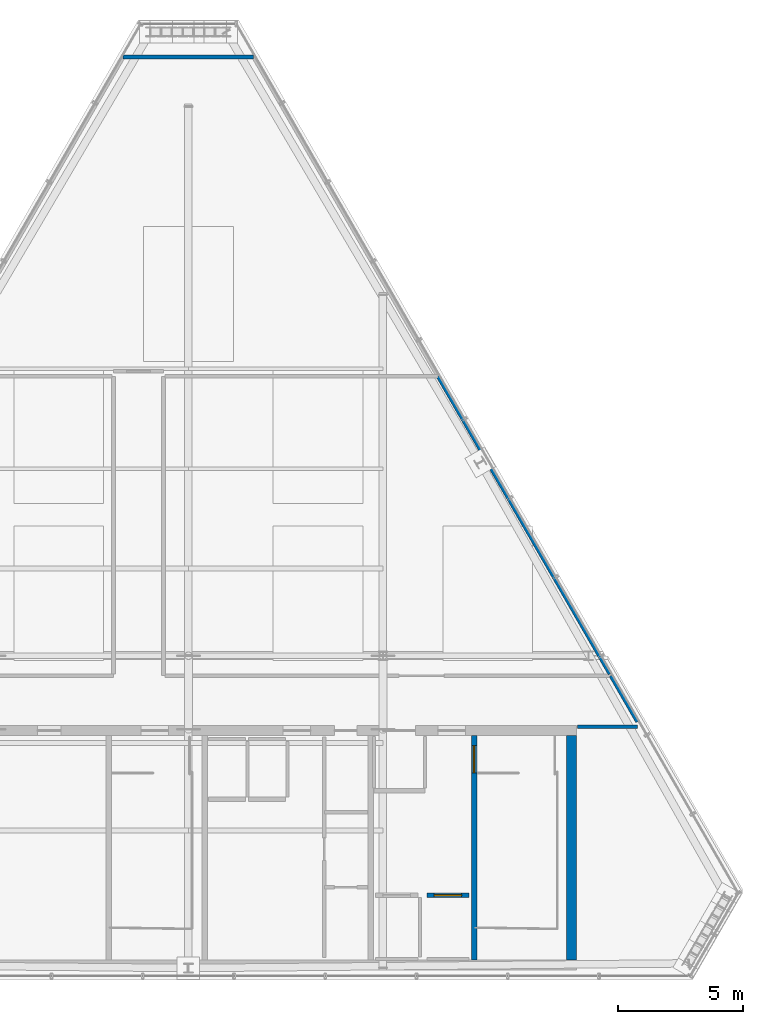
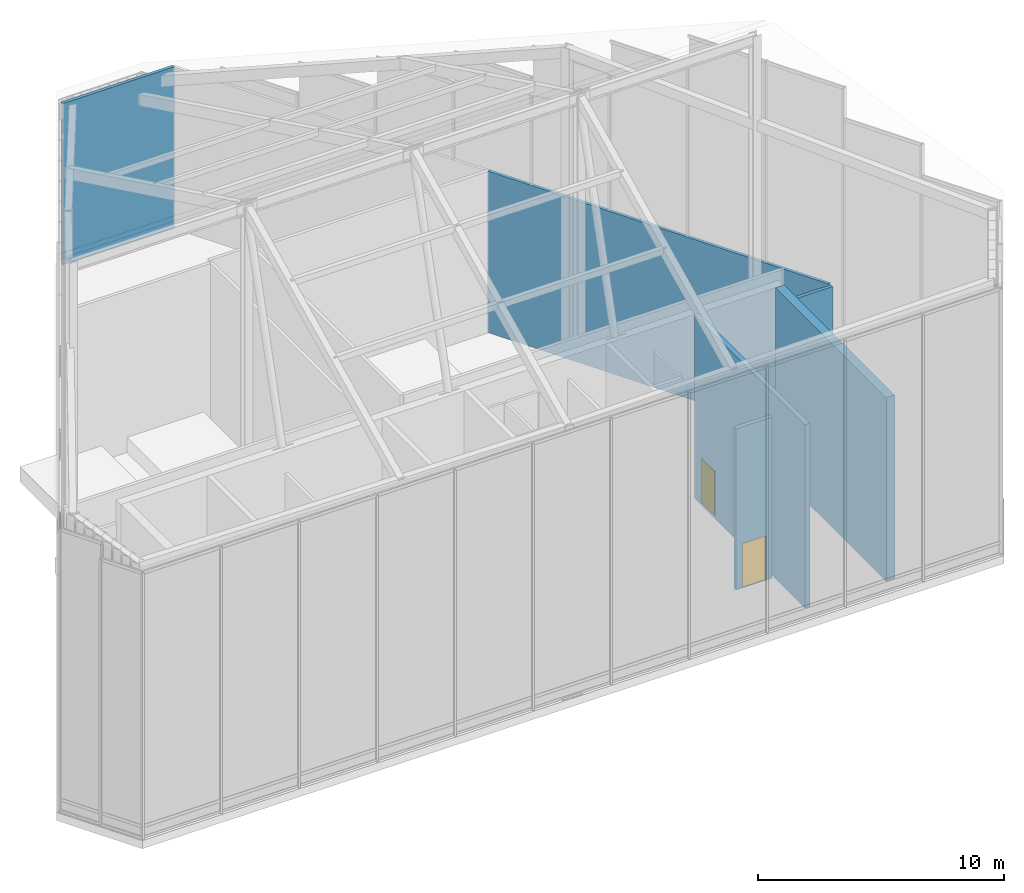
# One storey, part 35 of 36: 7 walls, 2 doors, 2 openings.
"""IFC4 building model written with IfcOpenShell, lengths in metres."""

from ifc_helpers import new_model, si_unit, direction, frame, frame_2d, origin, place, context, subcontext, project, spatial, rectangle, extrude, material, layer, layer_set, type_object, element, fill, save


model = new_model("IFC4")

# Units and contexts
model_context = context("Model", 3, precision=1e-05, world=origin(), true_north=direction((0.0, 1.0)))
body_context = subcontext(model_context, "Body", "Model", "MODEL_VIEW")
ifc_project = project(units=[si_unit("LENGTHUNIT", "METRE"), si_unit("AREAUNIT", "SQUARE_METRE"), si_unit("VOLUMEUNIT", "CUBIC_METRE"), si_unit("PLANEANGLEUNIT", "RADIAN"), si_unit("MASSUNIT", "GRAM", prefix="KILO")], contexts=[model_context])

# Site, building, storey
site_placement = place(None, origin())
site = spatial("IfcSite", under=ifc_project, at=site_placement, CompositionType="ELEMENT")
building_placement = place(site_placement, origin())
building = spatial("IfcBuilding", under=site, at=building_placement, Name="Ndaravel Arena Tower", CompositionType="ELEMENT")
storey_placement = place(building_placement, frame((0.0, 0.0, 308.10009765625)))
storey = spatial("IfcBuildingStorey", under=building, at=storey_placement, Name="Roof Crown", CompositionType="ELEMENT", Elevation=308.10009765625)

# Walls
ifc_material_1 = material(Name="Gypsum", Category="gypsum")
ifc_layer_1 = layer(ifc_material_1, 0.14990234375)
ifc_layer_set_1 = layer_set([ifc_layer_1], Name="Gypsum")
wall_type_1 = type_object("IfcWallType", Name="WALL-COMP-150", PredefinedType="PARTITIONING", material=ifc_layer_set_1)
wall_1_placement = place(storey_placement, frame((60.0, 15.14990234375, 0.0), z_axis=(0.0, 0.0, 1.0), x_axis=(-1.0, 0.0, 0.0)))
element("IfcWall", 1, at=wall_1_placement, inside=storey, type_object=wall_type_1, Name="Roof Crown Interior Partition 001", PredefinedType="PARTITIONING", context=body_context, shape_type="SweptSolid", body=[
    extrude(rectangle(XDim=2.39990234375, YDim=0.14990234375, at=frame_2d((1.199951171875, 0.0))), origin(), (0.0, 0.0, 1.0), 8.0),
])
wall_2_placement = place(storey_placement, frame((58.93408203125, 17.199951171875, 0.0), z_axis=(0.0, 0.0, 1.0), x_axis=(0.500006636387, -0.866021572231, 0.0)))
element("IfcWall", 2, at=wall_2_placement, inside=storey, type_object=wall_type_1, Name="Roof Crown Interior Partition 009", PredefinedType="PARTITIONING", context=body_context, shape_type="SweptSolid", body=[
    extrude(rectangle(XDim=2.1318359375, YDim=0.14990234375, at=frame_2d((1.06591796875, 0.0))), origin(), (0.0, 0.0, 1.0), 8.0),
])
wall_3_placement = place(storey_placement, frame((52.005859375, 29.199951171875, 0.0), z_axis=(0.0, 0.0, 1.0), x_axis=(0.499995412721, -0.866028052235, 0.0)))
element("IfcWall", 3, at=wall_3_placement, inside=storey, type_object=wall_type_1, Name="Roof Crown Interior Partition 013", PredefinedType="PARTITIONING", context=body_context, shape_type="SweptSolid", body=[
    extrude(rectangle(XDim=13.781494140625, YDim=0.14990234375, at=frame_2d((6.890625, 0.0))), origin(), (0.0, 0.0, 1.0), 8.0),
])
wall_4_placement = place(storey_placement, frame((39.38427734375, 42.0, 0.0), z_axis=(0.0, 0.0, 1.0), x_axis=(1.0, 0.0, 0.0)))
element("IfcWall", 4, at=wall_4_placement, inside=storey, type_object=wall_type_1, Name="Roof Crown Interior Partition 015", PredefinedType="PARTITIONING", context=body_context, shape_type="SweptSolid", body=[
    extrude(rectangle(XDim=5.2314453125, YDim=0.14990234375, at=frame_2d((2.61572265625, 0.0))), origin(), (0.0, 0.0, 1.0), 8.0),
])

# Wall, opening, door
ifc_material_2 = material(Name="Concrete C50/60", Category="concrete")
ifc_layer_2 = layer(ifc_material_2, 0.219970703125)
ifc_layer_set_2 = layer_set([ifc_layer_2], Name="Concrete C50/60")
wall_type_2 = type_object("IfcWallType", Name="WALL-CORE-220", PredefinedType="SOLIDWALL", material=ifc_layer_set_2)
wall_5_placement = place(storey_placement, frame((53.449951171875, 5.800048828125, 0.0), z_axis=(0.0, 0.0, 1.0), x_axis=(0.0, 1.0, 0.0)))
wall_5 = element("IfcWall", 5, at=wall_5_placement, inside=storey, type_object=wall_type_2, Name="Roof Crown Core Web Shear Wall 5", PredefinedType="SOLIDWALL", context=body_context, shape_type="SweptSolid", body=[
    extrude(rectangle(XDim=9.0, YDim=0.219970703125, at=frame_2d((4.5, 0.0))), origin(), (0.0, 0.0, 1.0), 9.099853515625),
])
opening_1_placement = place(wall_5_placement, frame((7.5, 0.0, 0.0)))
opening_1 = element("IfcOpeningElement", 6, at=opening_1_placement, cuts=wall_5, Name="Opening FD-01", PredefinedType="OPENING", context=body_context, shape_type="SweptSolid", body=[
    extrude(rectangle(XDim=1.10009765625, YDim=2.199951171875, at=frame_2d((0.550048828125, 1.10009765625))), frame((0.0, 0.10986328125, 0.0), z_axis=(0.0, -1.0, 0.0), x_axis=(1.0, 0.0, 0.0)), (0.0, 0.0, 1.0), 0.219970703125),
])
ifc_material_3 = material(Name="Steel S355", Category="steel")
door_type_1 = type_object("IfcDoorType", Name="DT-01-STAIR-1100", OperationType="SINGLE_SWING_LEFT", PredefinedType="DOOR", material=ifc_material_3)
door_1_placement = place(opening_1_placement, origin())
door_1 = element("IfcDoor", 7, at=door_1_placement, inside=storey, type_object=door_type_1, Name="Roof Crown Firefighting Lobby to ST-3 Door", OperationType="SINGLE_SWING_LEFT", OverallHeight=2.199951171875, OverallWidth=1.10009765625, PredefinedType="DOOR", context=body_context, shape_type="SweptSolid", body=[
    extrude(rectangle(XDim=1.10009765625, YDim=2.199951171875, at=frame_2d((0.550048828125, 1.10009765625))), frame((0.0, 0.02490234375, 0.0), z_axis=(0.0, -1.0, 0.0), x_axis=(1.0, 0.0, 0.0)), (0.0, 0.0, 1.0), 0.050048828125),
])
fill(opening_1, door_1)

# Wall
ifc_material_4 = material(Name="Concrete C50/60", Category="concrete")
ifc_layer_3 = layer(ifc_material_4, 0.39990234375)
ifc_layer_set_3 = layer_set([ifc_layer_3], Name="Concrete C50/60")
wall_type_3 = type_object("IfcWallType", Name="WALL-CORE-400", PredefinedType="SOLIDWALL", material=ifc_layer_set_3)
wall_6_placement = place(storey_placement, frame((57.35009765625, 5.800048828125, 0.0), z_axis=(0.0, 0.0, 1.0), x_axis=(0.0, 1.0, 0.0)))
element("IfcWall", 8, at=wall_6_placement, inside=storey, type_object=wall_type_3, Name="Roof Crown Core East Shear Wall", PredefinedType="SOLIDWALL", context=body_context, shape_type="SweptSolid", body=[
    extrude(rectangle(XDim=9.0, YDim=0.39990234375, at=frame_2d((4.5, 0.0))), origin(), (0.0, 0.0, 1.0), 9.099853515625),
])

# Wall, opening, door
ifc_material_5 = material(Name="Concrete C40/50", Category="concrete")
ifc_layer_4 = layer(ifc_material_5, 0.199951171875)
ifc_layer_set_4 = layer_set([ifc_layer_4], Name="Concrete C40/50")
wall_type_4 = type_object("IfcWallType", Name="WALL-SHAFT-200", PredefinedType="SOLIDWALL", material=ifc_layer_set_4)
wall_7_placement = place(storey_placement, frame((51.554931640625, 8.39990234375, 0.0), z_axis=(0.0, 0.0, 1.0), x_axis=(1.0, 0.0, 0.0)))
wall_7 = element("IfcWall", 9, at=wall_7_placement, inside=storey, type_object=wall_type_4, Name="Roof Crown FFL-2 Shaft Landing Wall", PredefinedType="SOLIDWALL", context=body_context, shape_type="SweptSolid", body=[
    extrude(rectangle(XDim=1.690185546875, YDim=0.179931640625, at=frame_2d((0.84521484375, 0.0))), origin(), (0.0, 0.0, 1.0), 8.0),
])
opening_2_placement = place(wall_7_placement, frame((0.294921875, 0.0, 0.0)))
opening_2 = element("IfcOpeningElement", 10, at=opening_2_placement, cuts=wall_7, Name="Opening LD-01", PredefinedType="OPENING", context=body_context, shape_type="SweptSolid", body=[
    extrude(rectangle(XDim=1.10009765625, YDim=2.199951171875, at=frame_2d((0.550048828125, 1.10009765625))), frame((0.0, 0.08984375, 0.0), z_axis=(0.0, -1.0, 0.0), x_axis=(1.0, 0.0, 0.0)), (0.0, 0.0, 1.0), 0.179931640625),
])
ifc_material_6 = material(Name="Steel S355", Category="steel")
door_type_2 = type_object("IfcDoorType", Name="DT-06-LIFT-1100", OperationType="SLIDING_TO_LEFT", PredefinedType="DOOR", material=ifc_material_6)
door_2_placement = place(opening_2_placement, origin())
door_2 = element("IfcDoor", 11, at=door_2_placement, inside=storey, type_object=door_type_2, Name="Roof Crown Lift FFL-2 Sliding Landing Door", OperationType="SLIDING_TO_LEFT", OverallHeight=2.199951171875, OverallWidth=1.10009765625, PredefinedType="DOOR", context=body_context, shape_type="SweptSolid", body=[
    extrude(rectangle(XDim=1.10009765625, YDim=2.199951171875, at=frame_2d((0.550048828125, 1.10009765625))), frame((0.0, 0.02490234375, 0.0), z_axis=(0.0, -1.0, 0.0), x_axis=(1.0, 0.0, 0.0)), (0.0, 0.0, 1.0), 0.050048828125),
])
fill(opening_2, door_2)

save(model, "model.ifc")
